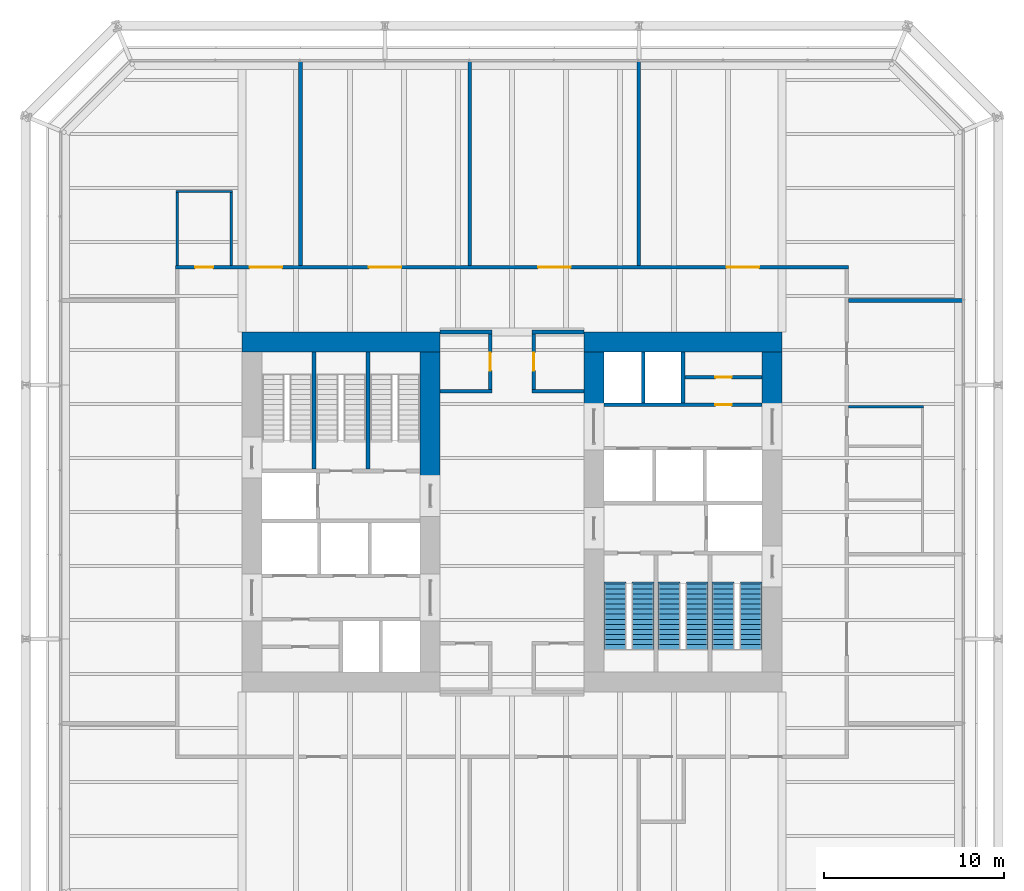
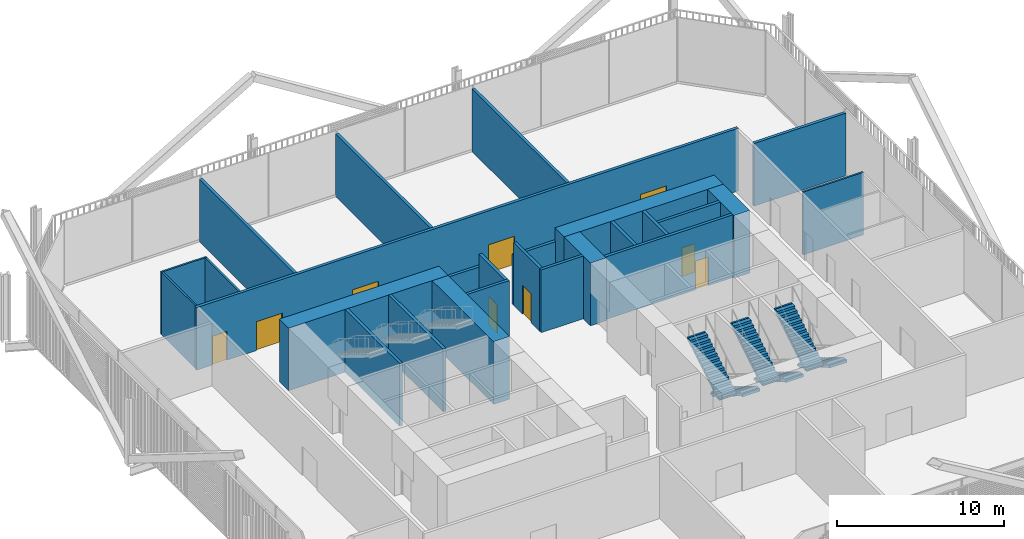
# One storey, part 20 of 22: 26 walls, 9 doors, 6 stair flights, 9 openings, 3 elements without a shape of their own.
"""IFC4 building model written with IfcOpenShell, lengths in metres."""

from ifc_helpers import new_model, si_unit, direction, frame, frame_2d, origin, place, context, subcontext, project, spatial, polyline, rectangle, outline, extrude, material, layer, layer_set, type_object, element, fill, aggregate, save


model = new_model("IFC4")

# Units and contexts
model_context = context("Model", 3, precision=1e-05, world=origin(), true_north=direction((0.0, 1.0)))
body_context = subcontext(model_context, "Body", "Model", "MODEL_VIEW")
ifc_project = project(units=[si_unit("LENGTHUNIT", "METRE"), si_unit("AREAUNIT", "SQUARE_METRE"), si_unit("VOLUMEUNIT", "CUBIC_METRE"), si_unit("PLANEANGLEUNIT", "RADIAN"), si_unit("MASSUNIT", "GRAM", prefix="KILO")], contexts=[model_context])

# Site, building, storey
site_placement = place(None, origin())
site = spatial("IfcSite", under=ifc_project, at=site_placement, CompositionType="ELEMENT")
building_placement = place(site_placement, origin())
building = spatial("IfcBuilding", under=site, at=building_placement, Name="Millrace Tower", CompositionType="ELEMENT")
storey_placement = place(building_placement, frame((0.0, 0.0, 35.300048828125)))
storey = spatial("IfcBuildingStorey", under=building, at=storey_placement, Name="L08", CompositionType="ELEMENT", Elevation=35.300048828125)

# Walls
ifc_material_1 = material(Name="Concrete C80", Category="concrete")
ifc_layer_1 = layer(ifc_material_1, 1.10009765625)
ifc_layer_set_1 = layer_set([ifc_layer_1], Name="Concrete C80")
wall_type_1 = type_object("IfcWallType", Name="Core wall 1100 Concrete C80", PredefinedType="SHEAR", material=ifc_layer_set_1)
wall_1_placement = place(storey_placement, frame((-15.0, 9.449951171875, 0.0), z_axis=(0.0, 0.0, 1.0), x_axis=(1.0, 0.0, 0.0)))
element("IfcWall", 1, at=wall_1_placement, inside=storey, type_object=wall_type_1, Name="Core wall W L08", PredefinedType="SHEAR", context=body_context, shape_type="SweptSolid", body=[
    extrude(rectangle(XDim=11.0, YDim=1.10009765625, at=frame_2d((5.5, 0.0))), origin(), (0.0, 0.0, 1.0), 4.574951171875),
])
wall_2_placement = place(storey_placement, frame((-4.550048828125, 1.550048828125, 0.0), z_axis=(0.0, 0.0, 1.0), x_axis=(0.0, 1.0, 0.0)))
element("IfcWall", 2, at=wall_2_placement, inside=storey, type_object=wall_type_1, Name="Core wall W L08", PredefinedType="SHEAR", context=body_context, shape_type="SweptSolid", body=[
    extrude(rectangle(XDim=7.349853515625, YDim=1.10009765625, at=frame_2d((3.6748046875, 0.0))), origin(), (0.0, 0.0, 1.0), 4.574951171875),
])
wall_3_placement = place(storey_placement, frame((15.0, 9.449951171875, 0.0), z_axis=(0.0, 0.0, 1.0), x_axis=(-1.0, 0.0, 0.0)))
element("IfcWall", 3, at=wall_3_placement, inside=storey, type_object=wall_type_1, Name="Core wall E L08", PredefinedType="SHEAR", context=body_context, shape_type="SweptSolid", body=[
    extrude(rectangle(XDim=11.0, YDim=1.10009765625, at=frame_2d((5.5, 0.0))), origin(), (0.0, 0.0, 1.0), 4.574951171875),
])
for number, where, z_axis, x_axis, name in (
    (4, (14.449951171875, 8.89990234375, 0.0), (0.0, 0.0, 1.0), (0.0, -1.0, 0.0), "Core wall E L08"),
    (5, (4.550048828125, 8.89990234375, 0.0), (0.0, 0.0, 1.0), (0.0, -1.0, 0.0), "Core wall E L08"),
):
    element("IfcWall", number, at=place(storey_placement, frame(where, z_axis=z_axis, x_axis=x_axis)), inside=storey, type_object=wall_type_1, Name=name, PredefinedType="SHEAR", context=body_context, shape_type="SweptSolid", body=[
        extrude(rectangle(XDim=3.14990234375, YDim=1.10009765625, at=frame_2d((1.574951171875, 0.0))), origin(), (0.0, 0.0, 1.0), 4.574951171875),
    ])
ifc_material_2 = material(Name="Masonry partition, fire-rated", Category="masonry")
ifc_layer_2 = layer(ifc_material_2, 0.199951171875)
ifc_layer_set_2 = layer_set([ifc_layer_2], Name="Masonry partition, fire-rated")
wall_type_2 = type_object("IfcWallType", Name="Corridor wall 200", PredefinedType="PARTITIONING", material=ifc_layer_set_2)
for number, where, z_axis, x_axis, name in (
    (6, (-4.0, 6.699951171875, 0.0), (0.0, 0.0, 1.0), (1.0, 0.0, 0.0), "Corridor wall L08"),
    (7, (1.10009765625, 6.699951171875, 0.0), (0.0, 0.0, 1.0), (1.0, 0.0, 0.0), "Corridor wall L08"),
):
    element("IfcWall", number, at=place(storey_placement, frame(where, z_axis=z_axis, x_axis=x_axis)), inside=storey, type_object=wall_type_2, Name=name, PredefinedType="PARTITIONING", context=body_context, shape_type="SweptSolid", body=[
        extrude(rectangle(XDim=2.89990234375, YDim=0.199951171875, at=frame_2d((1.449951171875, 0.0))), origin(), (0.0, 0.0, 1.0), 4.574951171875),
    ])
for number, where, z_axis, x_axis, name in (
    (8, (-4.0, 10.0, 0.0), (0.0, 0.0, 1.0), (1.0, 0.0, 0.0), "Corridor wall L08"),
    (9, (1.10009765625, 10.0, 0.0), (0.0, 0.0, 1.0), (1.0, 0.0, 0.0), "Corridor wall L08"),
):
    element("IfcWall", number, at=place(storey_placement, frame(where, z_axis=z_axis, x_axis=x_axis)), inside=storey, type_object=wall_type_2, Name=name, PredefinedType="PARTITIONING", context=body_context, shape_type="SweptSolid", body=[
        extrude(rectangle(XDim=2.89990234375, YDim=0.199951171875, at=frame_2d((1.449951171875, 0.0))), origin(), (0.0, 0.0, 1.0), 3.62744140625),
    ])
wall_4_placement = place(storey_placement, frame((18.699951171875, 11.75, 0.0), z_axis=(0.0, 0.0, 1.0), x_axis=(1.0, 0.0, 0.0)))
element("IfcWall", 10, at=wall_4_placement, inside=storey, type_object=wall_type_2, Name="Corridor wall L08", PredefinedType="PARTITIONING", context=body_context, shape_type="SweptSolid", body=[
    extrude(rectangle(XDim=6.330078125, YDim=0.199951171875, at=frame_2d((3.1650390625, 0.0))), origin(), (0.0, 0.0, 1.0), 4.574951171875),
])

# Wall, openings, doors
wall_5_placement = place(storey_placement, frame((-18.699951171875, 13.60009765625, 0.0), z_axis=(0.0, 0.0, 1.0), x_axis=(1.0, 0.0, 0.0)))
wall_5 = element("IfcWall", 11, at=wall_5_placement, inside=storey, type_object=wall_type_2, Name="Corridor wall L08", PredefinedType="PARTITIONING", context=body_context, shape_type="SweptSolid", body=[
    extrude(rectangle(XDim=37.39990234375, YDim=0.199951171875, at=frame_2d((18.699951171875, 0.0))), origin(), (0.0, 0.0, 1.0), 4.574951171875),
])
opening_1_placement = place(wall_5_placement, frame((4.125, 0.0, 0.0)))
opening_1 = element("IfcOpeningElement", 12, at=opening_1_placement, cuts=wall_5, Name="Opening 08-P009", PredefinedType="OPENING", context=body_context, shape_type="SweptSolid", body=[
    extrude(rectangle(XDim=1.800048828125, YDim=2.10009765625, at=frame_2d((0.89990234375, 1.050048828125))), frame((0.0, 0.10986328125, 0.0), z_axis=(0.0, -1.0, 0.0), x_axis=(1.0, 0.0, 0.0)), (0.0, 0.0, 1.0), 0.219970703125),
])
opening_2_placement = place(wall_5_placement, frame((1.10009765625, 0.0, 0.0)))
opening_2 = element("IfcOpeningElement", 13, at=opening_2_placement, cuts=wall_5, Name="Opening 08-P010", PredefinedType="OPENING", context=body_context, shape_type="SweptSolid", body=[
    extrude(rectangle(XDim=1.0, YDim=2.10009765625, at=frame_2d((0.5, 1.050048828125))), frame((0.0, 0.10986328125, 0.0), z_axis=(0.0, -1.0, 0.0), x_axis=(1.0, 0.0, 0.0)), (0.0, 0.0, 1.0), 0.219970703125),
])
opening_3_placement = place(wall_5_placement, frame((10.75, 0.0, 0.0)))
opening_3 = element("IfcOpeningElement", 14, at=opening_3_placement, cuts=wall_5, Name="Opening 08-P011", PredefinedType="OPENING", context=body_context, shape_type="SweptSolid", body=[
    extrude(rectangle(XDim=1.800048828125, YDim=2.10009765625, at=frame_2d((0.89990234375, 1.050048828125))), frame((0.0, 0.10986328125, 0.0), z_axis=(0.0, -1.0, 0.0), x_axis=(1.0, 0.0, 0.0)), (0.0, 0.0, 1.0), 0.219970703125),
])
opening_4_placement = place(wall_5_placement, frame((20.14990234375, 0.0, 0.0)))
opening_4 = element("IfcOpeningElement", 15, at=opening_4_placement, cuts=wall_5, Name="Opening 08-P012", PredefinedType="OPENING", context=body_context, shape_type="SweptSolid", body=[
    extrude(rectangle(XDim=1.800048828125, YDim=2.10009765625, at=frame_2d((0.89990234375, 1.050048828125))), frame((0.0, 0.10986328125, 0.0), z_axis=(0.0, -1.0, 0.0), x_axis=(1.0, 0.0, 0.0)), (0.0, 0.0, 1.0), 0.219970703125),
])
opening_5_placement = place(wall_5_placement, frame((30.625, 0.0, 0.0)))
opening_5 = element("IfcOpeningElement", 16, at=opening_5_placement, cuts=wall_5, Name="Opening 08-P013", PredefinedType="OPENING", context=body_context, shape_type="SweptSolid", body=[
    extrude(rectangle(XDim=1.800048828125, YDim=2.10009765625, at=frame_2d((0.89990234375, 1.050048828125))), frame((0.0, 0.10986328125, 0.0), z_axis=(0.0, -1.0, 0.0), x_axis=(1.0, 0.0, 0.0)), (0.0, 0.0, 1.0), 0.219970703125),
])
ifc_material_3 = material(Name="Steel door set, fire-rated", Category="steel")
door_type_1 = type_object("IfcDoorType", Name="Corridor door 1000 x 2100", OperationType="SINGLE_SWING_LEFT", PredefinedType="DOOR", material=ifc_material_3)
door_1_placement = place(opening_2_placement, origin())
door_1 = element("IfcDoor", 17, at=door_1_placement, inside=storey, type_object=door_type_1, Name="Door 08-P010", OperationType="SINGLE_SWING_LEFT", OverallHeight=2.10009765625, OverallWidth=1.0, PredefinedType="DOOR", context=body_context, shape_type="SweptSolid", body=[
    extrude(rectangle(XDim=1.0, YDim=2.10009765625, at=frame_2d((0.5, 1.050048828125))), frame((0.0, 0.02490234375, 0.0), z_axis=(0.0, -1.0, 0.0), x_axis=(1.0, 0.0, 0.0)), (0.0, 0.0, 1.0), 0.050048828125),
])
fill(opening_2, door_1)
ifc_material_4 = material(Name="Steel door set, fire-rated", Category="steel")
door_type_2 = type_object("IfcDoorType", Name="Corridor door 1800 x 2100", OperationType="DOUBLE_DOOR_SINGLE_SWING", PredefinedType="DOOR", material=ifc_material_4)
door_2_placement = place(opening_1_placement, origin())
door_2 = element("IfcDoor", 18, at=door_2_placement, inside=storey, type_object=door_type_2, Name="Door 08-P009", OperationType="DOUBLE_DOOR_SINGLE_SWING", OverallHeight=2.10009765625, OverallWidth=1.800048828125, PredefinedType="DOOR", context=body_context, shape_type="SweptSolid", body=[
    extrude(rectangle(XDim=1.800048828125, YDim=2.10009765625, at=frame_2d((0.89990234375, 1.050048828125))), frame((0.0, 0.02490234375, 0.0), z_axis=(0.0, -1.0, 0.0), x_axis=(1.0, 0.0, 0.0)), (0.0, 0.0, 1.0), 0.050048828125),
])
fill(opening_1, door_2)
ifc_material_5 = material(Name="Steel door set, fire-rated", Category="steel")
door_type_3 = type_object("IfcDoorType", Name="Data hall door 1800 x 2100", OperationType="DOUBLE_DOOR_SINGLE_SWING", PredefinedType="DOOR", material=ifc_material_5)
door_3_placement = place(opening_3_placement, origin())
door_3 = element("IfcDoor", 19, at=door_3_placement, inside=storey, type_object=door_type_3, Name="Door 08-P011", OperationType="DOUBLE_DOOR_SINGLE_SWING", OverallHeight=2.10009765625, OverallWidth=1.800048828125, PredefinedType="DOOR", context=body_context, shape_type="SweptSolid", body=[
    extrude(rectangle(XDim=1.800048828125, YDim=2.10009765625, at=frame_2d((0.89990234375, 1.050048828125))), frame((0.0, 0.02490234375, 0.0), z_axis=(0.0, -1.0, 0.0), x_axis=(1.0, 0.0, 0.0)), (0.0, 0.0, 1.0), 0.050048828125),
])
fill(opening_3, door_3)
door_4_placement = place(opening_4_placement, origin())
door_4 = element("IfcDoor", 20, at=door_4_placement, inside=storey, type_object=door_type_3, Name="Door 08-P012", OperationType="DOUBLE_DOOR_SINGLE_SWING", OverallHeight=2.10009765625, OverallWidth=1.800048828125, PredefinedType="DOOR", context=body_context, shape_type="SweptSolid", body=[
    extrude(rectangle(XDim=1.800048828125, YDim=2.10009765625, at=frame_2d((0.89990234375, 1.050048828125))), frame((0.0, 0.02490234375, 0.0), z_axis=(0.0, -1.0, 0.0), x_axis=(1.0, 0.0, 0.0)), (0.0, 0.0, 1.0), 0.050048828125),
])
fill(opening_4, door_4)
door_5_placement = place(opening_5_placement, origin())
door_5 = element("IfcDoor", 21, at=door_5_placement, inside=storey, type_object=door_type_3, Name="Door 08-P013", OperationType="DOUBLE_DOOR_SINGLE_SWING", OverallHeight=2.10009765625, OverallWidth=1.800048828125, PredefinedType="DOOR", context=body_context, shape_type="SweptSolid", body=[
    extrude(rectangle(XDim=1.800048828125, YDim=2.10009765625, at=frame_2d((0.89990234375, 1.050048828125))), frame((0.0, 0.02490234375, 0.0), z_axis=(0.0, -1.0, 0.0), x_axis=(1.0, 0.0, 0.0)), (0.0, 0.0, 1.0), 0.050048828125),
])
fill(opening_5, door_5)

# Wall
wall_6_placement = place(storey_placement, frame((7.050048828125, 13.699951171875, 0.0), z_axis=(0.0, 0.0, 1.0), x_axis=(0.0, 1.0, 0.0)))
element("IfcWall", 22, at=wall_6_placement, inside=storey, type_object=wall_type_2, Name="Corridor wall L08", PredefinedType="PARTITIONING", context=body_context, shape_type="SweptSolid", body=[
    extrude(rectangle(XDim=11.330078125, YDim=0.199951171875, at=frame_2d((5.6650390625, 0.0))), origin(), (0.0, 0.0, 1.0), 4.574951171875),
])

# Wall, opening, door
wall_7_placement = place(storey_placement, frame((1.199951171875, 6.800048828125, 0.0), z_axis=(0.0, 0.0, 1.0), x_axis=(0.0, 1.0, 0.0)))
wall_7 = element("IfcWall", 23, at=wall_7_placement, inside=storey, type_object=wall_type_2, Name="Corridor wall L08", PredefinedType="PARTITIONING", context=body_context, shape_type="SweptSolid", body=[
    extrude(rectangle(XDim=3.099853515625, YDim=0.199951171875, at=frame_2d((1.5498046875, 0.0))), origin(), (0.0, 0.0, 1.0), 4.574951171875),
])
opening_6_placement = place(wall_7_placement, frame((1.050048828125, 0.0, 0.0)))
opening_6 = element("IfcOpeningElement", 24, at=opening_6_placement, cuts=wall_7, Name="Opening 08-P002", PredefinedType="OPENING", context=body_context, shape_type="SweptSolid", body=[
    extrude(rectangle(XDim=1.0, YDim=2.10009765625, at=frame_2d((0.5, 1.050048828125))), frame((0.0, 0.10986328125, 0.0), z_axis=(0.0, -1.0, 0.0), x_axis=(1.0, 0.0, 0.0)), (0.0, 0.0, 1.0), 0.219970703125),
])
door_6_placement = place(opening_6_placement, frame((1.0, 0.0, 0.0), z_axis=(0.0, 0.0, 1.0), x_axis=(-1.0, 0.0, 0.0)))
door_6 = element("IfcDoor", 25, at=door_6_placement, inside=storey, type_object=door_type_1, Name="Door 08-P002", OperationType="SINGLE_SWING_RIGHT", OverallHeight=2.10009765625, OverallWidth=1.0, PredefinedType="DOOR", context=body_context, shape_type="SweptSolid", body=[
    extrude(rectangle(XDim=1.0, YDim=2.10009765625, at=frame_2d((0.5, 1.050048828125))), frame((0.0, 0.02490234375, 0.0), z_axis=(0.0, -1.0, 0.0), x_axis=(1.0, 0.0, 0.0)), (0.0, 0.0, 1.0), 0.050048828125),
])
fill(opening_6, door_6)

wall_8_placement = place(storey_placement, frame((-1.199951171875, 6.800048828125, 0.0), z_axis=(0.0, 0.0, 1.0), x_axis=(0.0, 1.0, 0.0)))
wall_8 = element("IfcWall", 26, at=wall_8_placement, inside=storey, type_object=wall_type_2, Name="Corridor wall L08", PredefinedType="PARTITIONING", context=body_context, shape_type="SweptSolid", body=[
    extrude(rectangle(XDim=3.099853515625, YDim=0.199951171875, at=frame_2d((1.5498046875, 0.0))), origin(), (0.0, 0.0, 1.0), 4.574951171875),
])
opening_7_placement = place(wall_8_placement, frame((1.050048828125, 0.0, 0.0)))
opening_7 = element("IfcOpeningElement", 27, at=opening_7_placement, cuts=wall_8, Name="Opening 08-P001", PredefinedType="OPENING", context=body_context, shape_type="SweptSolid", body=[
    extrude(rectangle(XDim=1.0, YDim=2.10009765625, at=frame_2d((0.5, 1.050048828125))), frame((0.0, 0.10986328125, 0.0), z_axis=(0.0, -1.0, 0.0), x_axis=(1.0, 0.0, 0.0)), (0.0, 0.0, 1.0), 0.219970703125),
])
door_7_placement = place(opening_7_placement, origin())
door_7 = element("IfcDoor", 28, at=door_7_placement, inside=storey, type_object=door_type_1, Name="Door 08-P001", OperationType="SINGLE_SWING_LEFT", OverallHeight=2.10009765625, OverallWidth=1.0, PredefinedType="DOOR", context=body_context, shape_type="SweptSolid", body=[
    extrude(rectangle(XDim=1.0, YDim=2.10009765625, at=frame_2d((0.5, 1.050048828125))), frame((0.0, 0.02490234375, 0.0), z_axis=(0.0, -1.0, 0.0), x_axis=(1.0, 0.0, 0.0)), (0.0, 0.0, 1.0), 0.050048828125),
])
fill(opening_7, door_7)

# Walls
for number, where, z_axis, x_axis, name in (
    (29, (-2.35009765625, 13.699951171875, 0.0), (0.0, 0.0, 1.0), (0.0, 1.0, 0.0), "Corridor wall L08"),
    (30, (-11.75, 13.699951171875, 0.0), (0.0, 0.0, 1.0), (0.0, 1.0, 0.0), "Corridor wall L08"),
):
    element("IfcWall", number, at=place(storey_placement, frame(where, z_axis=z_axis, x_axis=x_axis)), inside=storey, type_object=wall_type_2, Name=name, PredefinedType="PARTITIONING", context=body_context, shape_type="SweptSolid", body=[
        extrude(rectangle(XDim=11.330078125, YDim=0.199951171875, at=frame_2d((5.6650390625, 0.0))), origin(), (0.0, 0.0, 1.0), 4.574951171875),
    ])

# Wall, opening, door
ifc_material_6 = material(Name="Masonry partition, fire-rated", Category="masonry")
ifc_layer_3 = layer(ifc_material_6, 0.199951171875)
ifc_layer_set_3 = layer_set([ifc_layer_3], Name="Masonry partition, fire-rated")
wall_type_3 = type_object("IfcWallType", Name="Lift shaft wall 200", PredefinedType="PARTITIONING", material=ifc_layer_set_3)
wall_9_placement = place(storey_placement, frame((13.89990234375, 5.949951171875, 0.0), z_axis=(0.0, 0.0, 1.0), x_axis=(-1.0, 0.0, 0.0)))
wall_9 = element("IfcWall", 31, at=wall_9_placement, inside=storey, type_object=wall_type_3, Name="Lift shaft wall E L08", PredefinedType="PARTITIONING", context=body_context, shape_type="SweptSolid", body=[
    extrude(rectangle(XDim=8.7998046875, YDim=0.199951171875, at=frame_2d((4.39990234375, 0.0))), origin(), (0.0, 0.0, 1.0), 4.574951171875),
])
opening_8_placement = place(wall_9_placement, frame((1.699951171875, 0.0, 0.0)))
opening_8 = element("IfcOpeningElement", 32, at=opening_8_placement, cuts=wall_9, Name="Opening 08-C013", PredefinedType="OPENING", context=body_context, shape_type="SweptSolid", body=[
    extrude(rectangle(XDim=0.89990234375, YDim=2.10009765625, at=frame_2d((0.449951171875, 1.050048828125))), frame((0.0, 0.10986328125, 0.0), z_axis=(0.0, -1.0, 0.0), x_axis=(1.0, 0.0, 0.0)), (0.0, 0.0, 1.0), 0.219970703125),
])
ifc_material_7 = material(Name="Steel door, fire-rated", Category="steel")
door_type_4 = type_object("IfcDoorType", Name="Service room door 900 x 2100", OperationType="SINGLE_SWING_LEFT", PredefinedType="DOOR", material=ifc_material_7)
door_8_placement = place(opening_8_placement, origin())
door_8 = element("IfcDoor", 33, at=door_8_placement, inside=storey, type_object=door_type_4, Name="Service room door 08-C013", OperationType="SINGLE_SWING_LEFT", OverallHeight=2.10009765625, OverallWidth=0.89990234375, PredefinedType="DOOR", context=body_context, shape_type="SweptSolid", body=[
    extrude(rectangle(XDim=0.89990234375, YDim=2.10009765625, at=frame_2d((0.449951171875, 1.050048828125))), frame((0.0, 0.02490234375, 0.0), z_axis=(0.0, -1.0, 0.0), x_axis=(1.0, 0.0, 0.0)), (0.0, 0.0, 1.0), 0.050048828125),
])
fill(opening_8, door_8)

# Walls
for number, where, z_axis, x_axis, name in (
    (34, (9.5, 8.89990234375, 0.0), (0.0, 0.0, 1.0), (0.0, -1.0, 0.0), "Lift shaft wall E L08"),
    (35, (7.300048828125, 8.89990234375, 0.0), (0.0, 0.0, 1.0), (0.0, -1.0, 0.0), "Lift shaft wall E L08"),
):
    element("IfcWall", number, at=place(storey_placement, frame(where, z_axis=z_axis, x_axis=x_axis)), inside=storey, type_object=wall_type_3, Name=name, PredefinedType="PARTITIONING", context=body_context, shape_type="SweptSolid", body=[
        extrude(rectangle(XDim=2.849853515625, YDim=0.199951171875, at=frame_2d((1.4248046875, 0.0))), origin(), (0.0, 0.0, 1.0), 4.574951171875),
    ])
ifc_material_8 = material(Name="Gypsum board partition")
ifc_layer_4 = layer(ifc_material_8, 0.1201171875)
ifc_layer_set_4 = layer_set([ifc_layer_4], Name="Gypsum board partition")
wall_type_4 = type_object("IfcWallType", Name="Partition wall 120", PredefinedType="PARTITIONING", material=ifc_layer_set_4)
wall_10_placement = place(storey_placement, frame((18.699951171875, 5.85009765625, 0.0), z_axis=(0.0, 0.0, 1.0), x_axis=(1.0, 0.0, 0.0)))
element("IfcWall", 36, at=wall_10_placement, inside=storey, type_object=wall_type_4, Name="Partition wall L08", PredefinedType="PARTITIONING", context=body_context, shape_type="SweptSolid", body=[
    extrude(rectangle(XDim=4.16015625, YDim=0.1201171875, at=frame_2d((2.080078125, 0.0))), origin(), (0.0, 0.0, 1.0), 4.574951171875),
])
wall_11_placement = place(storey_placement, frame((-18.659912109375, 17.800048828125, 0.0), z_axis=(0.0, 0.0, 1.0), x_axis=(1.0, 0.0, 0.0)))
element("IfcWall", 37, at=wall_11_placement, inside=storey, type_object=wall_type_4, Name="Partition wall L08", PredefinedType="PARTITIONING", context=body_context, shape_type="SweptSolid", body=[
    extrude(rectangle(XDim=3.119873046875, YDim=0.1201171875, at=frame_2d((1.56005859375, 0.0))), origin(), (0.0, 0.0, 1.0), 4.574951171875),
])
for number, where, z_axis, x_axis, name in (
    (38, (-15.60009765625, 13.699951171875, 0.0), (0.0, 0.0, 1.0), (0.0, 1.0, 0.0), "Partition wall L08"),
    (39, (-18.60009765625, 13.699951171875, 0.0), (0.0, 0.0, 1.0), (0.0, 1.0, 0.0), "Partition wall L08"),
):
    element("IfcWall", number, at=place(storey_placement, frame(where, z_axis=z_axis, x_axis=x_axis)), inside=storey, type_object=wall_type_4, Name=name, PredefinedType="PARTITIONING", context=body_context, shape_type="SweptSolid", body=[
        extrude(rectangle(XDim=4.0400390625, YDim=0.1201171875, at=frame_2d((2.02001953125, 0.0))), origin(), (0.0, 0.0, 1.0), 4.574951171875),
    ])

# Wall, opening, door
ifc_material_9 = material(Name="Masonry partition, fire-rated", Category="masonry")
ifc_layer_5 = layer(ifc_material_9, 0.199951171875)
ifc_layer_set_5 = layer_set([ifc_layer_5], Name="Masonry partition, fire-rated")
wall_type_5 = type_object("IfcWallType", Name="Room partition 200", PredefinedType="PARTITIONING", material=ifc_layer_set_5)
wall_12_placement = place(storey_placement, frame((13.89990234375, 7.47509765625, 0.0), z_axis=(0.0, 0.0, 1.0), x_axis=(-1.0, 0.0, 0.0)))
wall_12 = element("IfcWall", 40, at=wall_12_placement, inside=storey, type_object=wall_type_5, Name="Room partition E L08", PredefinedType="PARTITIONING", context=body_context, shape_type="SweptSolid", body=[
    extrude(rectangle(XDim=4.2998046875, YDim=0.199951171875, at=frame_2d((2.14990234375, 0.0))), origin(), (0.0, 0.0, 1.0), 4.574951171875),
])
opening_9_placement = place(wall_12_placement, frame((1.699951171875, 0.0, 0.0)))
opening_9 = element("IfcOpeningElement", 41, at=opening_9_placement, cuts=wall_12, Name="Opening 08-C014", PredefinedType="OPENING", context=body_context, shape_type="SweptSolid", body=[
    extrude(rectangle(XDim=0.89990234375, YDim=2.10009765625, at=frame_2d((0.449951171875, 1.050048828125))), frame((0.0, 0.10986328125, 0.0), z_axis=(0.0, -1.0, 0.0), x_axis=(1.0, 0.0, 0.0)), (0.0, 0.0, 1.0), 0.219970703125),
])
door_9_placement = place(opening_9_placement, frame((0.89990234375, 0.0, 0.0), z_axis=(0.0, 0.0, 1.0), x_axis=(-1.0, 0.0, 0.0)))
door_9 = element("IfcDoor", 42, at=door_9_placement, inside=storey, type_object=door_type_4, Name="Service room door 08-C014", OperationType="SINGLE_SWING_LEFT", OverallHeight=2.10009765625, OverallWidth=0.89990234375, PredefinedType="DOOR", context=body_context, shape_type="SweptSolid", body=[
    extrude(rectangle(XDim=0.89990234375, YDim=2.10009765625, at=frame_2d((0.449951171875, 1.050048828125))), frame((0.0, 0.02490234375, 0.0), z_axis=(0.0, -1.0, 0.0), x_axis=(1.0, 0.0, 0.0)), (0.0, 0.0, 1.0), 0.050048828125),
])
fill(opening_9, door_9)

# Walls
ifc_material_10 = material(Name="Concrete C40", Category="concrete")
ifc_layer_6 = layer(ifc_material_10, 0.199951171875)
ifc_layer_set_6 = layer_set([ifc_layer_6], Name="Concrete C40")
wall_type_6 = type_object("IfcWallType", Name="Stair enclosure wall 200 Concrete C40", PredefinedType="SHEAR", material=ifc_layer_set_6)
for number, where, z_axis, x_axis, name in (
    (43, (-11.0, 2.3798828125, 0.0), (0.0, 0.0, 1.0), (0.0, 1.0, 0.0), "Stair enclosure wall W L08"),
    (44, (-8.0, 2.3798828125, 0.0), (0.0, 0.0, 1.0), (0.0, 1.0, 0.0), "Stair enclosure wall W L08"),
):
    element("IfcWall", number, at=place(storey_placement, frame(where, z_axis=z_axis, x_axis=x_axis)), inside=storey, type_object=wall_type_6, Name=name, PredefinedType="SHEAR", context=body_context, shape_type="SweptSolid", body=[
        extrude(rectangle(XDim=6.52001953125, YDim=0.199951171875, at=frame_2d((3.260009765625, 0.0))), origin(), (0.0, 0.0, 1.0), 4.574951171875),
    ])

# Stair, stair flights
ifc_material_11 = material(Name="Concrete C35", Category="concrete")
stair_type = type_object("IfcStairType", Name="Exit stair", PredefinedType="HALF_TURN_STAIR", material=ifc_material_11)
placement = place(storey_placement, origin())
stair_1 = element("IfcStair", 45, at=placement, inside=storey, type_object=stair_type, Name="Stair 1 E L08", PredefinedType="HALF_TURN_STAIR")
ifc_material_12 = material(Name="Concrete C35", Category="concrete")
stair_flight_type = type_object("IfcStairFlightType", Name="Exit stair flight", PredefinedType="STRAIGHT", material=ifc_material_12)
stair_flight_1_placement = place(storey_placement, frame((13.2900390625, -4.0, 0.0), z_axis=(0.0, 0.0, 1.0), x_axis=(0.0, -1.0, 0.0)))
stair_flight_1 = element("IfcStairFlight", 46, at=stair_flight_1_placement, type_object=stair_flight_type, Name="ST12 flight 1", NumberOfRisers=14, NumberOfTreads=13, PredefinedType="STRAIGHT", RiserHeight=0.171428571, TreadLength=0.28, context=body_context, shape_type="SweptSolid", body=[
    extrude(outline(polyline([(-0.1201171875, -0.0400390625), (-0.1201171875, 0.0), (0.0, 0.0), (0.0, 0.17138671875), (0.280029296875, 0.17138671875), (0.280029296875, 0.3427734375), (0.56005859375, 0.3427734375), (0.56005859375, 0.514404296875), (0.840087890625, 0.514404296875), (0.840087890625, 0.685791015625), (1.1201171875, 0.685791015625), (1.1201171875, 0.857177734375), (1.39990234375, 0.857177734375), (1.39990234375, 1.028564453125), (1.679931640625, 1.028564453125), (1.679931640625, 1.199951171875), (1.9599609375, 1.199951171875), (1.9599609375, 1.371337890625), (2.239990234375, 1.371337890625), (2.239990234375, 1.54296875), (2.52001953125, 1.54296875), (2.52001953125, 1.71435546875), (2.800048828125, 1.71435546875), (2.800048828125, 1.8857421875), (3.080078125, 1.8857421875), (3.080078125, 2.05712890625), (3.360107421875, 2.05712890625), (3.360107421875, 2.228515625), (3.639892578125, 2.228515625), (3.639892578125, 2.24853515625), (3.760009765625, 2.24853515625), (3.760009765625, 2.052734375), (3.639892578125, 2.052734375), (0.287109375, 0.0), (0.287109375, -0.0400390625), (-0.1201171875, -0.0400390625)])), frame((0.0, 0.60986328125, 0.0), z_axis=(0.0, -1.0, 0.0), x_axis=(1.0, 0.0, 0.0)), (0.0, 0.0, 1.0), 1.219970703125),
])
stair_flight_2_placement = place(storey_placement, frame((11.7099609375, -7.639892578125, 2.39990234375), z_axis=(0.0, 0.0, 1.0), x_axis=(0.0, 1.0, 0.0)))
stair_flight_2 = element("IfcStairFlight", 47, at=stair_flight_2_placement, type_object=stair_flight_type, Name="ST12 flight 2", NumberOfRisers=14, NumberOfTreads=13, PredefinedType="STRAIGHT", RiserHeight=0.171428571, TreadLength=0.28, context=body_context, shape_type="SweptSolid", body=[
    extrude(outline(polyline([(-0.1201171875, -0.0400390625), (-0.1201171875, 0.0), (0.0, 0.0), (0.0, 0.17138671875), (0.280029296875, 0.17138671875), (0.280029296875, 0.3427734375), (0.56005859375, 0.3427734375), (0.56005859375, 0.514404296875), (0.840087890625, 0.514404296875), (0.840087890625, 0.685791015625), (1.1201171875, 0.685791015625), (1.1201171875, 0.857177734375), (1.39990234375, 0.857177734375), (1.39990234375, 1.028564453125), (1.679931640625, 1.028564453125), (1.679931640625, 1.199951171875), (1.9599609375, 1.199951171875), (1.9599609375, 1.371337890625), (2.239990234375, 1.371337890625), (2.239990234375, 1.54296875), (2.52001953125, 1.54296875), (2.52001953125, 1.71435546875), (2.800048828125, 1.71435546875), (2.800048828125, 1.8857421875), (3.080078125, 1.8857421875), (3.080078125, 2.05712890625), (3.360107421875, 2.05712890625), (3.360107421875, 2.228515625), (3.639892578125, 2.228515625), (3.639892578125, 2.24853515625), (3.760009765625, 2.24853515625), (3.760009765625, 2.052734375), (3.639892578125, 2.052734375), (0.287109375, 0.0), (0.287109375, -0.0400390625), (-0.1201171875, -0.0400390625)])), frame((0.0, 0.60986328125, 0.0), z_axis=(0.0, -1.0, 0.0), x_axis=(1.0, 0.0, 0.0)), (0.0, 0.0, 1.0), 1.219970703125),
])
aggregate(stair_1, [stair_flight_1, stair_flight_2])

stair_2 = element("IfcStair", 48, at=placement, inside=storey, type_object=stair_type, Name="Stair 2 E L08", PredefinedType="HALF_TURN_STAIR")
stair_flight_3_placement = place(storey_placement, frame((10.2900390625, -4.0, 0.0), z_axis=(0.0, 0.0, 1.0), x_axis=(0.0, -1.0, 0.0)))
stair_flight_3 = element("IfcStairFlight", 49, at=stair_flight_3_placement, type_object=stair_flight_type, Name="ST12 flight 1", NumberOfRisers=14, NumberOfTreads=13, PredefinedType="STRAIGHT", RiserHeight=0.171428571, TreadLength=0.28, context=body_context, shape_type="SweptSolid", body=[
    extrude(outline(polyline([(-0.1201171875, -0.0400390625), (-0.1201171875, 0.0), (0.0, 0.0), (0.0, 0.17138671875), (0.280029296875, 0.17138671875), (0.280029296875, 0.3427734375), (0.56005859375, 0.3427734375), (0.56005859375, 0.514404296875), (0.840087890625, 0.514404296875), (0.840087890625, 0.685791015625), (1.1201171875, 0.685791015625), (1.1201171875, 0.857177734375), (1.39990234375, 0.857177734375), (1.39990234375, 1.028564453125), (1.679931640625, 1.028564453125), (1.679931640625, 1.199951171875), (1.9599609375, 1.199951171875), (1.9599609375, 1.371337890625), (2.239990234375, 1.371337890625), (2.239990234375, 1.54296875), (2.52001953125, 1.54296875), (2.52001953125, 1.71435546875), (2.800048828125, 1.71435546875), (2.800048828125, 1.8857421875), (3.080078125, 1.8857421875), (3.080078125, 2.05712890625), (3.360107421875, 2.05712890625), (3.360107421875, 2.228515625), (3.639892578125, 2.228515625), (3.639892578125, 2.24853515625), (3.760009765625, 2.24853515625), (3.760009765625, 2.052734375), (3.639892578125, 2.052734375), (0.287109375, 0.0), (0.287109375, -0.0400390625), (-0.1201171875, -0.0400390625)])), frame((0.0, 0.60986328125, 0.0), z_axis=(0.0, -1.0, 0.0), x_axis=(1.0, 0.0, 0.0)), (0.0, 0.0, 1.0), 1.219970703125),
])
stair_flight_4_placement = place(storey_placement, frame((8.7099609375, -7.639892578125, 2.39990234375), z_axis=(0.0, 0.0, 1.0), x_axis=(0.0, 1.0, 0.0)))
stair_flight_4 = element("IfcStairFlight", 50, at=stair_flight_4_placement, type_object=stair_flight_type, Name="ST12 flight 2", NumberOfRisers=14, NumberOfTreads=13, PredefinedType="STRAIGHT", RiserHeight=0.171428571, TreadLength=0.28, context=body_context, shape_type="SweptSolid", body=[
    extrude(outline(polyline([(-0.1201171875, -0.0400390625), (-0.1201171875, 0.0), (0.0, 0.0), (0.0, 0.17138671875), (0.280029296875, 0.17138671875), (0.280029296875, 0.3427734375), (0.56005859375, 0.3427734375), (0.56005859375, 0.514404296875), (0.840087890625, 0.514404296875), (0.840087890625, 0.685791015625), (1.1201171875, 0.685791015625), (1.1201171875, 0.857177734375), (1.39990234375, 0.857177734375), (1.39990234375, 1.028564453125), (1.679931640625, 1.028564453125), (1.679931640625, 1.199951171875), (1.9599609375, 1.199951171875), (1.9599609375, 1.371337890625), (2.239990234375, 1.371337890625), (2.239990234375, 1.54296875), (2.52001953125, 1.54296875), (2.52001953125, 1.71435546875), (2.800048828125, 1.71435546875), (2.800048828125, 1.8857421875), (3.080078125, 1.8857421875), (3.080078125, 2.05712890625), (3.360107421875, 2.05712890625), (3.360107421875, 2.228515625), (3.639892578125, 2.228515625), (3.639892578125, 2.24853515625), (3.760009765625, 2.24853515625), (3.760009765625, 2.052734375), (3.639892578125, 2.052734375), (0.287109375, 0.0), (0.287109375, -0.0400390625), (-0.1201171875, -0.0400390625)])), frame((0.0, 0.60986328125, 0.0), z_axis=(0.0, -1.0, 0.0), x_axis=(1.0, 0.0, 0.0)), (0.0, 0.0, 1.0), 1.219970703125),
])
aggregate(stair_2, [stair_flight_3, stair_flight_4])

stair_3 = element("IfcStair", 51, at=placement, inside=storey, type_object=stair_type, Name="Stair 3 E L08", PredefinedType="HALF_TURN_STAIR")
stair_flight_5_placement = place(storey_placement, frame((7.2900390625, -4.0, 0.0), z_axis=(0.0, 0.0, 1.0), x_axis=(0.0, -1.0, 0.0)))
stair_flight_5 = element("IfcStairFlight", 52, at=stair_flight_5_placement, type_object=stair_flight_type, Name="ST12 flight 1", NumberOfRisers=14, NumberOfTreads=13, PredefinedType="STRAIGHT", RiserHeight=0.171428571, TreadLength=0.28, context=body_context, shape_type="SweptSolid", body=[
    extrude(outline(polyline([(-0.1201171875, -0.0400390625), (-0.1201171875, 0.0), (0.0, 0.0), (0.0, 0.17138671875), (0.280029296875, 0.17138671875), (0.280029296875, 0.3427734375), (0.56005859375, 0.3427734375), (0.56005859375, 0.514404296875), (0.840087890625, 0.514404296875), (0.840087890625, 0.685791015625), (1.1201171875, 0.685791015625), (1.1201171875, 0.857177734375), (1.39990234375, 0.857177734375), (1.39990234375, 1.028564453125), (1.679931640625, 1.028564453125), (1.679931640625, 1.199951171875), (1.9599609375, 1.199951171875), (1.9599609375, 1.371337890625), (2.239990234375, 1.371337890625), (2.239990234375, 1.54296875), (2.52001953125, 1.54296875), (2.52001953125, 1.71435546875), (2.800048828125, 1.71435546875), (2.800048828125, 1.8857421875), (3.080078125, 1.8857421875), (3.080078125, 2.05712890625), (3.360107421875, 2.05712890625), (3.360107421875, 2.228515625), (3.639892578125, 2.228515625), (3.639892578125, 2.24853515625), (3.760009765625, 2.24853515625), (3.760009765625, 2.052734375), (3.639892578125, 2.052734375), (0.287109375, 0.0), (0.287109375, -0.0400390625), (-0.1201171875, -0.0400390625)])), frame((0.0, 0.60986328125, 0.0), z_axis=(0.0, -1.0, 0.0), x_axis=(1.0, 0.0, 0.0)), (0.0, 0.0, 1.0), 1.219970703125),
])
stair_flight_6_placement = place(storey_placement, frame((5.7099609375, -7.639892578125, 2.39990234375), z_axis=(0.0, 0.0, 1.0), x_axis=(0.0, 1.0, 0.0)))
stair_flight_6 = element("IfcStairFlight", 53, at=stair_flight_6_placement, type_object=stair_flight_type, Name="ST12 flight 2", NumberOfRisers=14, NumberOfTreads=13, PredefinedType="STRAIGHT", RiserHeight=0.171428571, TreadLength=0.28, context=body_context, shape_type="SweptSolid", body=[
    extrude(outline(polyline([(-0.1201171875, -0.0400390625), (-0.1201171875, 0.0), (0.0, 0.0), (0.0, 0.17138671875), (0.280029296875, 0.17138671875), (0.280029296875, 0.3427734375), (0.56005859375, 0.3427734375), (0.56005859375, 0.514404296875), (0.840087890625, 0.514404296875), (0.840087890625, 0.685791015625), (1.1201171875, 0.685791015625), (1.1201171875, 0.857177734375), (1.39990234375, 0.857177734375), (1.39990234375, 1.028564453125), (1.679931640625, 1.028564453125), (1.679931640625, 1.199951171875), (1.9599609375, 1.199951171875), (1.9599609375, 1.371337890625), (2.239990234375, 1.371337890625), (2.239990234375, 1.54296875), (2.52001953125, 1.54296875), (2.52001953125, 1.71435546875), (2.800048828125, 1.71435546875), (2.800048828125, 1.8857421875), (3.080078125, 1.8857421875), (3.080078125, 2.05712890625), (3.360107421875, 2.05712890625), (3.360107421875, 2.228515625), (3.639892578125, 2.228515625), (3.639892578125, 2.24853515625), (3.760009765625, 2.24853515625), (3.760009765625, 2.052734375), (3.639892578125, 2.052734375), (0.287109375, 0.0), (0.287109375, -0.0400390625), (-0.1201171875, -0.0400390625)])), frame((0.0, 0.60986328125, 0.0), z_axis=(0.0, -1.0, 0.0), x_axis=(1.0, 0.0, 0.0)), (0.0, 0.0, 1.0), 1.219970703125),
])
aggregate(stair_3, [stair_flight_5, stair_flight_6])

save(model, "model.ifc")
